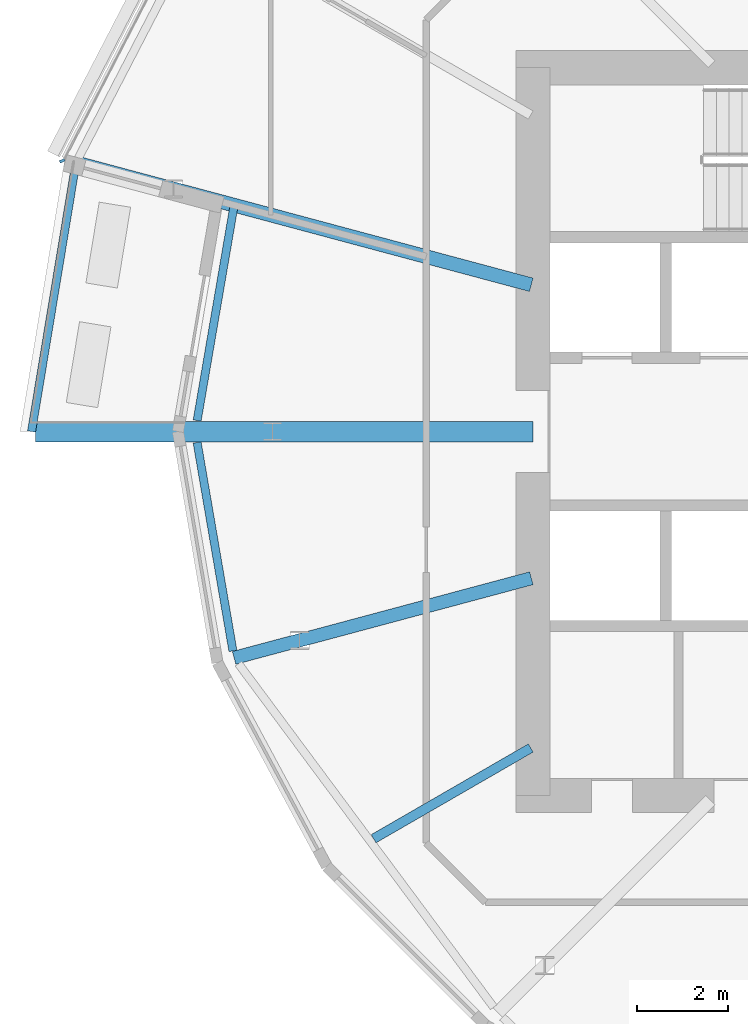
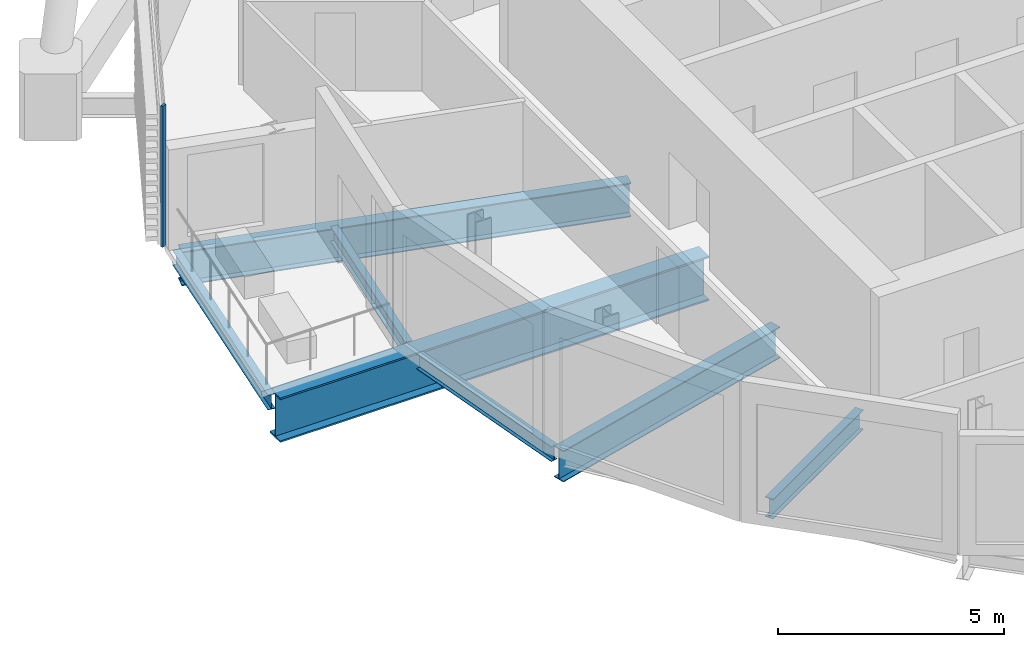
# One storey, part 5 of 38: 7 beams, 1 member, 1 element without a shape of its own.
"""IFC4 building model written with IfcOpenShell, lengths in metres."""

from ifc_helpers import new_model, si_unit, direction, frame, origin, origin_2d, place, context, subcontext, project, spatial, rectangle, i_section, extrude, material, material_profile, profile_set, type_object, element, aggregate, save


model = new_model("IFC4")

# Units and contexts
model_context = context("Model", 3, precision=1e-05, world=origin(), true_north=direction((0.0, 1.0)))
body_context = subcontext(model_context, "Body", "Model", "MODEL_VIEW")
ifc_project = project(units=[si_unit("LENGTHUNIT", "METRE"), si_unit("AREAUNIT", "SQUARE_METRE"), si_unit("VOLUMEUNIT", "CUBIC_METRE"), si_unit("PLANEANGLEUNIT", "RADIAN"), si_unit("MASSUNIT", "GRAM", prefix="KILO")], contexts=[model_context])

# Site, building, storey
site_placement = place(None, origin())
site = spatial("IfcSite", under=ifc_project, at=site_placement, CompositionType="ELEMENT")
building_placement = place(site_placement, origin())
building = spatial("IfcBuilding", under=site, at=building_placement, Name="Rimbun Link Towers", CompositionType="ELEMENT")
storey_placement = place(building_placement, frame((0.0, 0.0, 104.39990234375)))
storey = spatial("IfcBuildingStorey", under=building, at=storey_placement, Name="L25", CompositionType="ELEMENT", Elevation=104.39990234375)

# Curtain wall, member
ifc_material_1 = material(Name="Aluminium 6063-T6 and low-iron glass", Category="aluminium")
curtain_wall_type = type_object("IfcCurtainWallType", Name="CW1-Z2 unitised vision wall (zone 2)", PredefinedType="NOTDEFINED", material=ifc_material_1)
curtain_wall_placement = place(storey_placement, origin())
curtain_wall = element("IfcCurtainWall", 1, at=curtain_wall_placement, inside=storey, type_object=curtain_wall_type, Name="CW1 L25 T1", PredefinedType="NOTDEFINED")
ifc_material_2 = material(Name="Aluminium 6063-T6", Category="aluminium")
ifc_material_profile_1 = material_profile(ifc_material_2, rectangle(XDim=0.1201171875, YDim=0.06005859375, at=origin_2d()), Name="MULLION 60X120")
ifc_profile_set_1 = profile_set([ifc_material_profile_1], Name="Aluminium 6063-T6")
member_type = type_object("IfcMemberType", Name="CW1 mullion 60X120", PredefinedType="MULLION", material=ifc_profile_set_1)
member_placement = place(storey_placement, frame((-54.10498046875, 5.951171875, 0.0), z_axis=(0.0, 0.0, 1.0), x_axis=(-0.914814968794, -0.403873213857, 0.0)))
member = element("IfcMember", 2, at=member_placement, type_object=member_type, Name="CW1 mullion", PredefinedType="MULLION", context=body_context, shape_type="SweptSolid", body=[
    extrude(rectangle(XDim=0.1201171875, YDim=0.06005859375, at=origin_2d()), origin(), (0.0, 0.0, 1.0), 3.800048828125),
])
aggregate(curtain_wall, [member])

# Beams
ifc_material_3 = material(Name="Steel S355J2", Category="steel")
ifc_material_profile_2 = material_profile(ifc_material_3, i_section(OverallWidth=0.449951171875, OverallDepth=1.199951171875, WebThickness=0.030029296875, FlangeThickness=0.044921875, at=origin_2d()), Name="PG 1200x450x30/45")
ifc_profile_set_2 = profile_set([ifc_material_profile_2], Name="Steel S355J2")
beam_type_1 = type_object("IfcBeamType", Name="PG 1200x450x30/45", PredefinedType="BEAM", material=ifc_profile_set_2)
beam_1_placement = place(storey_placement, frame((-43.7509765625, 0.0, -0.760009765625), z_axis=(-1.0, 0.0, 0.0), x_axis=(0.0, -1.0, 0.0)))
element("IfcBeam", 3, at=beam_1_placement, inside=storey, type_object=beam_type_1, Name="Radial beam T1 L25 12", PredefinedType="BEAM", context=body_context, shape_type="SweptSolid", body=[
    extrude(i_section(OverallWidth=0.449951171875, OverallDepth=1.199951171875, WebThickness=0.030029296875, FlangeThickness=0.044921875, at=origin_2d()), origin(), (0.0, 0.0, 1.0), 10.93701171875),
])
ifc_material_4 = material(Name="Steel S355J2", Category="steel")
ifc_material_profile_3 = material_profile(ifc_material_4, i_section(OverallWidth=0.177978515625, OverallDepth=0.406494140625, WebThickness=0.0078125, FlangeThickness=0.0126953125, at=origin_2d()), Name="UB 406x178x60")
ifc_profile_set_3 = profile_set([ifc_material_profile_3], Name="Steel S355J2")
beam_type_2 = type_object("IfcBeamType", Name="UB 406x178x60", PredefinedType="BEAM", material=ifc_profile_set_3)
beam_2_placement = place(storey_placement, frame((-50.33154296875, 4.936279296875, -0.363037109375), z_axis=(-0.169216995643, -0.985578818961, 0.0), x_axis=(0.985578818961, -0.169216995643, 0.0)))
element("IfcBeam", 4, at=beam_2_placement, inside=storey, type_object=beam_type_2, Name="Edge beam T1 L25 11 recess", PredefinedType="BEAM", context=body_context, shape_type="SweptSolid", body=[
    extrude(i_section(OverallWidth=0.177978515625, OverallDepth=0.406494140625, WebThickness=0.0078125, FlangeThickness=0.0126953125, at=origin_2d()), origin(), (0.0, 0.0, 1.0), 4.763916015625),
])
beam_3_placement = place(storey_placement, frame((-53.805419921875, 5.89404296875, -0.363037109375), z_axis=(-0.163006886478, -0.986624931248, 0.0), x_axis=(0.986624931248, -0.163006886478, 0.0)))
element("IfcBeam", 5, at=beam_3_placement, inside=storey, type_object=beam_type_2, Name="Edge beam T1 L25 11 terrace", PredefinedType="BEAM", context=body_context, shape_type="SweptSolid", body=[
    extrude(i_section(OverallWidth=0.177978515625, OverallDepth=0.406494140625, WebThickness=0.0078125, FlangeThickness=0.0126953125, at=origin_2d()), origin(), (0.0, 0.0, 1.0), 5.972900390625),
])
beam_4_placement = place(storey_placement, frame((-51.1376953125, -0.240966796875, -0.363037109375), z_axis=(0.169191178822, -0.985583251181, 0.0), x_axis=(0.985583251181, 0.169191178822, 0.0)))
element("IfcBeam", 6, at=beam_4_placement, inside=storey, type_object=beam_type_2, Name="Edge beam T1 L25 12 recess", PredefinedType="BEAM", context=body_context, shape_type="SweptSolid", body=[
    extrude(i_section(OverallWidth=0.177978515625, OverallDepth=0.406494140625, WebThickness=0.0078125, FlangeThickness=0.0126953125, at=origin_2d()), origin(), (0.0, 0.0, 1.0), 4.6494140625),
])
ifc_material_5 = material(Name="Steel S355J2", Category="steel")
ifc_material_profile_4 = material_profile(ifc_material_5, i_section(OverallWidth=0.209228515625, OverallDepth=0.533203125, WebThickness=0.010009765625, FlangeThickness=0.015625, at=origin_2d()), Name="UB 533x210x92")
ifc_profile_set_4 = profile_set([ifc_material_profile_4], Name="Steel S355J2")
beam_type_3 = type_object("IfcBeamType", Name="UB 533x210x92", PredefinedType="BEAM", material=ifc_profile_set_4)
beam_5_placement = place(storey_placement, frame((-43.80322265625, -6.958984375, -0.426513671875), z_axis=(-0.866027620744, -0.499996160093, 0.0), x_axis=(0.499996160093, -0.866027620744, 0.0)))
element("IfcBeam", 7, at=beam_5_placement, inside=storey, type_object=beam_type_3, Name="Radial beam T1 L25 14", PredefinedType="BEAM", context=body_context, shape_type="SweptSolid", body=[
    extrude(i_section(OverallWidth=0.209228515625, OverallDepth=0.533203125, WebThickness=0.010009765625, FlangeThickness=0.015625, at=origin_2d()), origin(), (0.0, 0.0, 1.0), 3.9892578125),
])
ifc_material_6 = material(Name="Steel S355J2", Category="steel")
ifc_material_profile_5 = material_profile(ifc_material_6, i_section(OverallWidth=0.29248046875, OverallDepth=0.8408203125, WebThickness=0.0126953125, FlangeThickness=0.021728515625, at=origin_2d()), Name="UB 838x292x194")
ifc_profile_set_5 = profile_set([ifc_material_profile_5], Name="Steel S355J2")
beam_type_4 = type_object("IfcBeamType", Name="UB 838x292x194", PredefinedType="BEAM", material=ifc_profile_set_5)
beam_6_placement = place(storey_placement, frame((-43.788818359375, -3.225830078125, -0.580322265625), z_axis=(-0.965928242155, -0.258810028799, 0.0), x_axis=(0.258810028799, -0.965928242155, 0.0)))
element("IfcBeam", 8, at=beam_6_placement, inside=storey, type_object=beam_type_4, Name="Radial beam T1 L25 13", PredefinedType="BEAM", context=body_context, shape_type="SweptSolid", body=[
    extrude(i_section(OverallWidth=0.29248046875, OverallDepth=0.8408203125, WebThickness=0.0126953125, FlangeThickness=0.021728515625, at=origin_2d()), origin(), (0.0, 0.0, 1.0), 6.766357421875),
])
ifc_material_7 = material(Name="Steel S355J2", Category="steel")
ifc_material_profile_6 = material_profile(ifc_material_7, i_section(OverallWidth=0.305419921875, OverallDepth=0.91845703125, WebThickness=0.017333984375, FlangeThickness=0.02783203125, at=origin_2d()), Name="UB 914x305x253")
ifc_profile_set_6 = profile_set([ifc_material_profile_6], Name="Steel S355J2")
beam_type_5 = type_object("IfcBeamType", Name="UB 914x305x253", PredefinedType="BEAM", material=ifc_profile_set_6)
beam_7_placement = place(storey_placement, frame((-43.79052734375, 3.226318359375, -0.619140625), z_axis=(-0.965927052689, 0.258814468071, 0.0), x_axis=(-0.258814468071, -0.965927052689, 0.0)))
element("IfcBeam", 9, at=beam_7_placement, inside=storey, type_object=beam_type_5, Name="Radial beam T1 L25 11", PredefinedType="BEAM", context=body_context, shape_type="SweptSolid", body=[
    extrude(i_section(OverallWidth=0.305419921875, OverallDepth=0.91845703125, WebThickness=0.017333984375, FlangeThickness=0.02783203125, at=origin_2d()), origin(), (0.0, 0.0, 1.0), 10.275390625),
])

save(model, "model.ifc")
